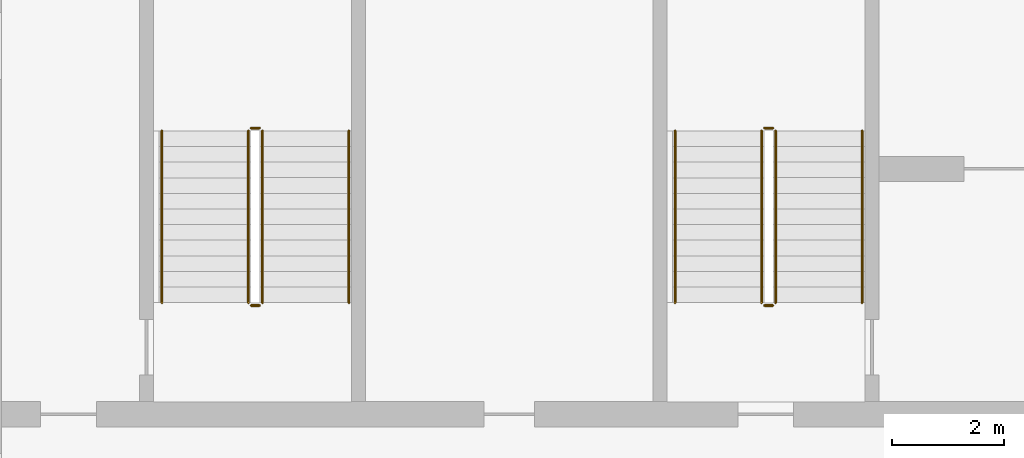
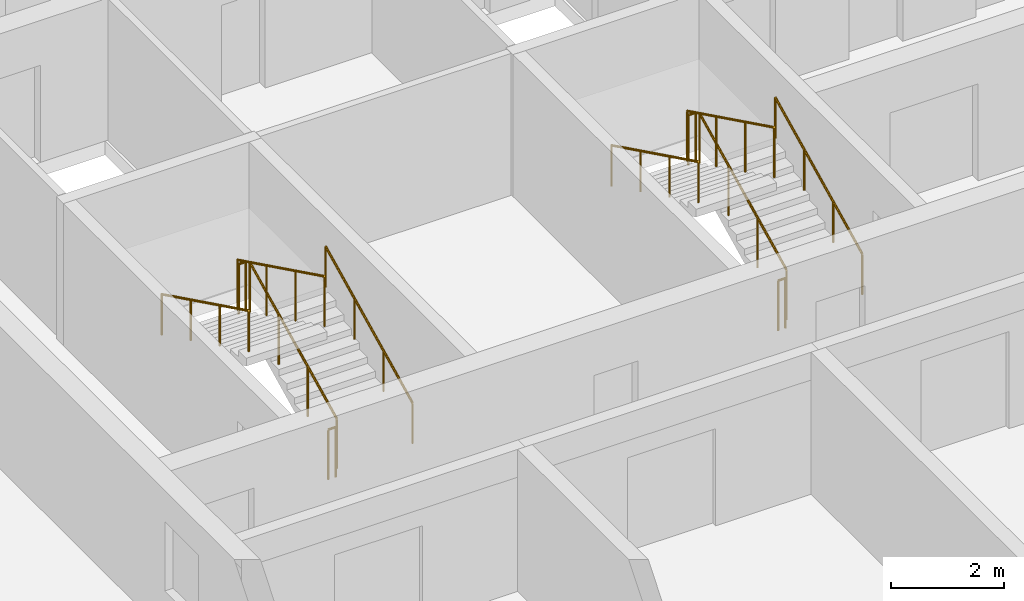
# One storey, part 12 of 14: 12 railings.
"""IFC4 building model written with IfcOpenShell, lengths in metres."""

import ifcopenshell
import ifcopenshell.guid

model = None  # the IFC model being written
_history = None  # IfcOwnerHistory: only IFC2X3 demands one
_inside = {}  # id of a spatial element -> (the spatial element, [elements in it])
_under = {}  # id of a project, library or spatial element -> (it, [spatial elements below it])
_declared = {}  # id of a project -> (the project, [libraries it declares])
_typed = {}  # id of a type object -> (the type object, [elements of that type])
_made_of = {}  # id of a material, layer set ... -> (it, [elements and type objects made of it])


def new_model(schema):
    """Start an empty IFC model of exactly this schema.

    Asked for "IFC4X3", IfcOpenShell would pick the latest addendum, in which some entities
    have other attributes; the version numbers below select the first issue.
    IFC2X3 requires an IfcOwnerHistory on every rooted entity: one is made here for all.
    """
    global model, _history
    if schema == "IFC4X3":
        model = ifcopenshell.file(schema_version=(4, 3, 0, 0))
    else:
        model = ifcopenshell.file(schema=schema)
    _inside.clear()
    _under.clear()
    _declared.clear()
    _typed.clear()
    _made_of.clear()
    _history = None
    if model.schema == "IFC2X3":
        org = make("IfcOrganization", Name="unknown")
        user = make(
            "IfcPersonAndOrganization",
            ThePerson=make("IfcPerson", FamilyName="unknown"),
            TheOrganization=org,
        )
        app = make(
            "IfcApplication",
            ApplicationDeveloper=org,
            Version="unknown",
            ApplicationFullName="unknown",
            ApplicationIdentifier="unknown",
        )
        _history = make(
            "IfcOwnerHistory",
            OwningUser=user,
            OwningApplication=app,
            ChangeAction="ADDED",
            CreationDate=0,
        )
    return model


def make(cls, **values):
    """One entity of the class cls with the attributes given. An attribute that is None is left unset."""
    return model.create_entity(
        cls, **{name: value for name, value in values.items() if value is not None}
    )


def rooted(cls, **values):
    """An entity with a GlobalId (a new one), such as an element, a storey or a relation."""
    return make(cls, GlobalId=ifcopenshell.guid.new(), OwnerHistory=_history, **values)


def si_unit(unit_type, name, prefix=None):
    """IfcSIUnit, for example si_unit("LENGTHUNIT", "METRE", prefix="MILLI")."""
    return make("IfcSIUnit", UnitType=unit_type, Prefix=prefix, Name=name)


def assignment(units):
    """IfcUnitAssignment: the units of a project."""
    return None if units is None else make("IfcUnitAssignment", Units=units)


def point(xyz):
    """IfcCartesianPoint."""
    return None if xyz is None else make("IfcCartesianPoint", Coordinates=xyz)


def direction(xyz):
    """IfcDirection."""
    return None if xyz is None else make("IfcDirection", DirectionRatios=xyz)


def frame(location, z_axis=None, x_axis=None):
    """IfcAxis2Placement3D, a coordinate frame: its origin and axes. An axis left out is left unset."""
    return make(
        "IfcAxis2Placement3D",
        Location=point(location),
        Axis=direction(z_axis),
        RefDirection=direction(x_axis),
    )


def frame_2d(location, x_axis=None):
    """IfcAxis2Placement2D, a coordinate frame in the plane: its origin and x axis."""
    return make(
        "IfcAxis2Placement2D", Location=point(location), RefDirection=direction(x_axis)
    )


def origin():
    """The frame at (0, 0, 0) with its axes left unset."""
    return frame((0.0, 0.0, 0.0))


def origin_2d():
    """The frame at (0, 0) in the plane with its x axis left unset."""
    return frame_2d((0.0, 0.0))


def place(relative_to, where):
    """IfcLocalPlacement: puts the frame where relative to a parent placement (None: the world)."""
    return make(
        "IfcLocalPlacement", PlacementRelTo=relative_to, RelativePlacement=where
    )


def context(
    kind, dimensions, precision=None, world=None, true_north=None, identifier=None
):
    """IfcGeometricRepresentationContext, for example the 3D "Model" context."""
    return make(
        "IfcGeometricRepresentationContext",
        ContextIdentifier=identifier,
        ContextType=kind,
        CoordinateSpaceDimension=dimensions,
        Precision=precision,
        WorldCoordinateSystem=world,
        TrueNorth=true_north,
    )


def subcontext(parent, identifier, kind, view, scale=None):
    """IfcGeometricRepresentationSubContext, for example "Body" below "Model"."""
    return make(
        "IfcGeometricRepresentationSubContext",
        ContextIdentifier=identifier,
        ContextType=kind,
        ParentContext=parent,
        TargetScale=scale,
        TargetView=view,
    )


def project(units=None, contexts=None):
    """IfcProject with its units and contexts."""
    return rooted(
        "IfcProject",
        Name="project",
        RepresentationContexts=contexts,
        UnitsInContext=assignment(units),
    )


def spatial(cls, under=None, at=None, **own):
    """A site, building, storey or space (cls), placed at a placement, below another one or the project."""
    s = rooted(cls, ObjectPlacement=at, **own)
    if under is not None:
        _under.setdefault(under.id(), (under, []))[1].append(s)
    return s


def profile(cls, at=None, kind="AREA", **sizes):
    """A parametric profile (cls). Its sizes go by their IFC names, for example OverallWidth=200.0."""
    return make(cls, ProfileType=kind, Position=at, **sizes)


def circle(**sizes):
    """IfcCircleProfileDef."""
    return profile("IfcCircleProfileDef", **sizes)


def extrude(swept, where, along, depth):
    """IfcExtrudedAreaSolid: the profile swept, set in the frame where, extruded along a direction by depth."""
    return make(
        "IfcExtrudedAreaSolid",
        SweptArea=swept,
        Position=where,
        ExtrudedDirection=direction(along),
        Depth=depth,
    )


def shape(context_of_items, identifier, shape_type, items):
    """IfcShapeRepresentation: the items that make up one representation, for example the "Body"."""
    return make(
        "IfcShapeRepresentation",
        ContextOfItems=context_of_items,
        RepresentationIdentifier=identifier,
        RepresentationType=shape_type,
        Items=items,
    )


def material(Name=None, Category=None):
    """IfcMaterial."""
    return make("IfcMaterial", Name=Name, Category=Category)


def made_of(thing, what):
    """Note that an element or type object is made of a material, layer set ...; save() writes the relation."""
    if what is not None:
        _made_of.setdefault(what.id(), (what, []))[1].append(thing)
    return thing


def type_object(cls, material=None, **own):
    """A type object (cls), such as IfcWallType, which elements share."""
    return made_of(rooted(cls, **own), material)


def element(
    cls,
    number,
    at=None,
    inside=None,
    cuts=None,
    type_object=None,
    material=None,
    context=None,
    identifier="Body",
    shape_type=None,
    held_by="IfcProductDefinitionShape",
    body=None,
    shapes=None,
    **own,
):
    """One element of the class cls, such as IfcWall. Its Tag is "e" and its number.

    at: its placement. inside: the storey or other place that contains it. cuts: it is an
    opening in that element (IfcRelVoidsElement). A single representation is given by context,
    identifier, shape_type and body (its items); several are given by shapes. held_by: the class
    of the entity that holds the representations. save() writes the other relations.
    """
    e = rooted(cls, Tag="e%d" % number, ObjectPlacement=at, **own)
    if body is not None:
        shapes = [shape(context, identifier, shape_type, body)]
    if shapes is not None:
        e.Representation = make(held_by, Representations=shapes)
    if inside is not None:
        _inside.setdefault(inside.id(), (inside, []))[1].append(e)
    if cuts is not None:
        rooted(
            "IfcRelVoidsElement", RelatingBuildingElement=cuts, RelatedOpeningElement=e
        )
    if type_object is not None:
        _typed.setdefault(type_object.id(), (type_object, []))[1].append(e)
    return made_of(e, material)


def aggregate(whole, parts):
    """IfcRelAggregates: a whole, such as a stair, and the parts it consists of."""
    return rooted("IfcRelAggregates", RelatingObject=whole, RelatedObjects=parts)


def save(model, path):
    """Write the relations noted so far, then the file.

    IfcRelAggregates (storeys below a building ...), IfcRelContainedInSpatialStructure (elements
    in a storey), IfcRelDefinesByType, IfcRelAssociatesMaterial and IfcRelDeclares: one each for
    every whole, place, type object, material and project.
    """
    for whole, parts in _under.values():
        aggregate(whole, parts)
    for where, things in _inside.values():
        rooted(
            "IfcRelContainedInSpatialStructure",
            RelatedElements=things,
            RelatingStructure=where,
        )
    for kind, things in _typed.values():
        rooted("IfcRelDefinesByType", RelatedObjects=things, RelatingType=kind)
    for what, things in _made_of.values():
        rooted("IfcRelAssociatesMaterial", RelatedObjects=things, RelatingMaterial=what)
    for by, libraries in _declared.values():
        rooted("IfcRelDeclares", RelatingContext=by, RelatedDefinitions=libraries)
    model.write(path)


model = new_model("IFC4")

# Units and contexts
model_context = context("Model", 3, precision=1e-05, world=origin(), true_north=direction((0.0, 1.0)))
body_context = subcontext(model_context, "Body", "Model", "MODEL_VIEW")
ifc_project = project(units=[si_unit("LENGTHUNIT", "METRE"), si_unit("AREAUNIT", "SQUARE_METRE"), si_unit("VOLUMEUNIT", "CUBIC_METRE"), si_unit("PLANEANGLEUNIT", "RADIAN"), si_unit("MASSUNIT", "GRAM", prefix="KILO")], contexts=[model_context])

# Site, building, storey
site_placement = place(None, origin())
site = spatial("IfcSite", under=ifc_project, at=site_placement, CompositionType="ELEMENT")
building_placement = place(site_placement, origin())
building = spatial("IfcBuilding", under=site, at=building_placement, Name="Poui Terraces", CompositionType="ELEMENT")
storey_placement = place(building_placement, frame((0.0, 0.0, 158.699951171875)))
storey = spatial("IfcBuildingStorey", under=building, at=storey_placement, Name="L44", CompositionType="ELEMENT", Elevation=158.699951171875)

# Railings
ifc_material_1 = material(Name="Galvanised steel balustrade", Category="steel")
railing_type_1 = type_object("IfcRailingType", Name="STAIR GUARD 1100", PredefinedType="GUARDRAIL", material=ifc_material_1)
railing_1_placement = place(storey_placement, frame((32.074951171875, 16.60009765625, 0.137451171875)))
element("IfcRailing", 1, at=railing_1_placement, inside=storey, type_object=railing_type_1, Name="L44 ST-CW stair guard 1", PredefinedType="GUARDRAIL", context=body_context, shape_type="SweptSolid", body=[
    extrude(circle(Radius=0.02392578125, at=origin_2d()), frame((0.0, 0.0, 1.076171875), z_axis=(0.0, 0.897578036475, 0.440855609512), x_axis=(-1.0, 0.0, 0.0)), (0.0, 0.0, 1.0), 3.43115234375),
    extrude(circle(Radius=0.02099609375, at=origin_2d()), origin(), (0.0, 0.0, 1.0), 1.052001953125),
    extrude(circle(Radius=0.02099609375, at=origin_2d()), frame((0.0, 1.026611328125, 0.504150390625)), (0.0, 0.0, 1.0), 1.052001953125),
    extrude(circle(Radius=0.02099609375, at=origin_2d()), frame((0.0, 2.05322265625, 1.008544921875)), (0.0, 0.0, 1.0), 1.052001953125),
    extrude(circle(Radius=0.02099609375, at=origin_2d()), frame((0.0, 3.079833984375, 1.5126953125)), (0.0, 0.0, 1.0), 1.052001953125),
])
railing_2_placement = place(storey_placement, frame((32.02490234375, 19.72998046875, 1.650146484375)))
element("IfcRailing", 2, at=railing_2_placement, inside=storey, type_object=railing_type_1, Name="L44 ST-CW stair guard 2", PredefinedType="GUARDRAIL", context=body_context, shape_type="SweptSolid", body=[
    extrude(circle(Radius=0.02392578125, at=origin_2d()), frame((0.0, 0.0, 1.076171875), z_axis=(-1.0, 0.0, 0.0), x_axis=(0.0, -1.0, 0.0)), (0.0, 0.0, 1.0), 0.14990234375),
    extrude(circle(Radius=0.02099609375, at=origin_2d()), origin(), (0.0, 0.0, 1.0), 1.052001953125),
    extrude(circle(Radius=0.02099609375, at=origin_2d()), frame((-0.14990234375, 0.0, 0.0)), (0.0, 0.0, 1.0), 1.052001953125),
])
railing_3_placement = place(storey_placement, frame((31.824951171875, 19.679931640625, 1.78759765625)))
element("IfcRailing", 3, at=railing_3_placement, inside=storey, type_object=railing_type_1, Name="L44 ST-CW stair guard 3", PredefinedType="GUARDRAIL", context=body_context, shape_type="SweptSolid", body=[
    extrude(circle(Radius=0.02392578125, at=origin_2d()), frame((0.0, 0.0, 1.076171875), z_axis=(0.0, -0.897606190399, 0.440798283751), x_axis=(1.0, 0.0, 0.0)), (0.0, 0.0, 1.0), 3.43115234375),
    extrude(circle(Radius=0.02099609375, at=origin_2d()), origin(), (0.0, 0.0, 1.0), 1.052001953125),
    extrude(circle(Radius=0.02099609375, at=origin_2d()), frame((0.0, -1.026611328125, 0.504150390625)), (0.0, 0.0, 1.0), 1.052001953125),
    extrude(circle(Radius=0.02099609375, at=origin_2d()), frame((0.0, -2.05322265625, 1.00830078125)), (0.0, 0.0, 1.0), 1.052001953125),
    extrude(circle(Radius=0.02099609375, at=origin_2d()), frame((0.0, -3.079833984375, 1.512451171875)), (0.0, 0.0, 1.0), 1.052001953125),
])
railing_4_placement = place(storey_placement, frame((32.02490234375, 16.550048828125, 0.0)))
element("IfcRailing", 4, at=railing_4_placement, inside=storey, type_object=railing_type_1, Name="L44 ST-CW stair guard 4", PredefinedType="GUARDRAIL", context=body_context, shape_type="SweptSolid", body=[
    extrude(circle(Radius=0.02392578125, at=origin_2d()), frame((0.0, 0.0, 1.076171875), z_axis=(-1.0, 0.0, 0.0), x_axis=(0.0, -1.0, 0.0)), (0.0, 0.0, 1.0), 0.14990234375),
    extrude(circle(Radius=0.02099609375, at=origin_2d()), origin(), (0.0, 0.0, 1.0), 1.052001953125),
    extrude(circle(Radius=0.02099609375, at=origin_2d()), frame((-0.14990234375, 0.0, 0.0)), (0.0, 0.0, 1.0), 1.052001953125),
])
railing_5_placement = place(storey_placement, frame((22.875, 16.60009765625, 0.137451171875)))
element("IfcRailing", 5, at=railing_5_placement, inside=storey, type_object=railing_type_1, Name="L44 ST-W stair guard 1", PredefinedType="GUARDRAIL", context=body_context, shape_type="SweptSolid", body=[
    extrude(circle(Radius=0.02392578125, at=origin_2d()), frame((0.0, 0.0, 1.076171875), z_axis=(0.0, 0.897578036475, 0.440855609512), x_axis=(-1.0, 0.0, 0.0)), (0.0, 0.0, 1.0), 3.43115234375),
    extrude(circle(Radius=0.02099609375, at=origin_2d()), origin(), (0.0, 0.0, 1.0), 1.052001953125),
    extrude(circle(Radius=0.02099609375, at=origin_2d()), frame((0.0, 1.026611328125, 0.504150390625)), (0.0, 0.0, 1.0), 1.052001953125),
    extrude(circle(Radius=0.02099609375, at=origin_2d()), frame((0.0, 2.05322265625, 1.008544921875)), (0.0, 0.0, 1.0), 1.052001953125),
    extrude(circle(Radius=0.02099609375, at=origin_2d()), frame((0.0, 3.079833984375, 1.5126953125)), (0.0, 0.0, 1.0), 1.052001953125),
])
railing_6_placement = place(storey_placement, frame((22.824951171875, 19.72998046875, 1.650146484375)))
element("IfcRailing", 6, at=railing_6_placement, inside=storey, type_object=railing_type_1, Name="L44 ST-W stair guard 2", PredefinedType="GUARDRAIL", context=body_context, shape_type="SweptSolid", body=[
    extrude(circle(Radius=0.02392578125, at=origin_2d()), frame((0.0, 0.0, 1.076171875), z_axis=(-1.0, 0.0, 0.0), x_axis=(0.0, -1.0, 0.0)), (0.0, 0.0, 1.0), 0.14990234375),
    extrude(circle(Radius=0.02099609375, at=origin_2d()), origin(), (0.0, 0.0, 1.0), 1.052001953125),
    extrude(circle(Radius=0.02099609375, at=origin_2d()), frame((-0.14990234375, 0.0, 0.0)), (0.0, 0.0, 1.0), 1.052001953125),
])
railing_7_placement = place(storey_placement, frame((22.625, 19.679931640625, 1.78759765625)))
element("IfcRailing", 7, at=railing_7_placement, inside=storey, type_object=railing_type_1, Name="L44 ST-W stair guard 3", PredefinedType="GUARDRAIL", context=body_context, shape_type="SweptSolid", body=[
    extrude(circle(Radius=0.02392578125, at=origin_2d()), frame((0.0, 0.0, 1.076171875), z_axis=(0.0, -0.897606190399, 0.440798283751), x_axis=(1.0, 0.0, 0.0)), (0.0, 0.0, 1.0), 3.43115234375),
    extrude(circle(Radius=0.02099609375, at=origin_2d()), origin(), (0.0, 0.0, 1.0), 1.052001953125),
    extrude(circle(Radius=0.02099609375, at=origin_2d()), frame((0.0, -1.026611328125, 0.504150390625)), (0.0, 0.0, 1.0), 1.052001953125),
    extrude(circle(Radius=0.02099609375, at=origin_2d()), frame((0.0, -2.05322265625, 1.00830078125)), (0.0, 0.0, 1.0), 1.052001953125),
    extrude(circle(Radius=0.02099609375, at=origin_2d()), frame((0.0, -3.079833984375, 1.512451171875)), (0.0, 0.0, 1.0), 1.052001953125),
])
railing_8_placement = place(storey_placement, frame((22.824951171875, 16.550048828125, 0.0)))
element("IfcRailing", 8, at=railing_8_placement, inside=storey, type_object=railing_type_1, Name="L44 ST-W stair guard 4", PredefinedType="GUARDRAIL", context=body_context, shape_type="SweptSolid", body=[
    extrude(circle(Radius=0.02392578125, at=origin_2d()), frame((0.0, 0.0, 1.076171875), z_axis=(-1.0, 0.0, 0.0), x_axis=(0.0, -1.0, 0.0)), (0.0, 0.0, 1.0), 0.14990234375),
    extrude(circle(Radius=0.02099609375, at=origin_2d()), origin(), (0.0, 0.0, 1.0), 1.052001953125),
    extrude(circle(Radius=0.02099609375, at=origin_2d()), frame((-0.14990234375, 0.0, 0.0)), (0.0, 0.0, 1.0), 1.052001953125),
])
ifc_material_2 = material(Name="Stainless steel handrail", Category="steel")
railing_type_2 = type_object("IfcRailingType", Name="STAIR HANDRAIL 900", PredefinedType="HANDRAIL", material=ifc_material_2)
railing_9_placement = place(storey_placement, frame((33.625, 16.60009765625, 0.137451171875)))
element("IfcRailing", 9, at=railing_9_placement, inside=storey, type_object=railing_type_2, Name="L44 ST-CW stair handrail 1", PredefinedType="HANDRAIL", context=body_context, shape_type="SweptSolid", body=[
    extrude(circle(Radius=0.02392578125, at=origin_2d()), frame((0.0, 0.0, 0.8759765625), z_axis=(0.0, 0.897578036475, 0.440855609512), x_axis=(-1.0, 0.0, 0.0)), (0.0, 0.0, 1.0), 3.43115234375),
    extrude(circle(Radius=0.02099609375, at=origin_2d()), origin(), (0.0, 0.0, 1.0), 0.851806640625),
    extrude(circle(Radius=0.02099609375, at=origin_2d()), frame((0.0, 1.026611328125, 0.504150390625)), (0.0, 0.0, 1.0), 0.851806640625),
    extrude(circle(Radius=0.02099609375, at=origin_2d()), frame((0.0, 2.05322265625, 1.008544921875)), (0.0, 0.0, 1.0), 0.851806640625),
    extrude(circle(Radius=0.02099609375, at=origin_2d()), frame((0.0, 3.079833984375, 1.5126953125)), (0.0, 0.0, 1.0), 0.851806640625),
])
railing_10_placement = place(storey_placement, frame((30.27490234375, 19.679931640625, 1.78759765625)))
element("IfcRailing", 10, at=railing_10_placement, inside=storey, type_object=railing_type_2, Name="L44 ST-CW stair handrail 2", PredefinedType="HANDRAIL", context=body_context, shape_type="SweptSolid", body=[
    extrude(circle(Radius=0.02392578125, at=origin_2d()), frame((0.0, 0.0, 0.8759765625), z_axis=(0.0, -0.897606190399, 0.440798283751), x_axis=(1.0, 0.0, 0.0)), (0.0, 0.0, 1.0), 3.43115234375),
    extrude(circle(Radius=0.02099609375, at=origin_2d()), origin(), (0.0, 0.0, 1.0), 0.851806640625),
    extrude(circle(Radius=0.02099609375, at=origin_2d()), frame((0.0, -1.026611328125, 0.504150390625)), (0.0, 0.0, 1.0), 0.851806640625),
    extrude(circle(Radius=0.02099609375, at=origin_2d()), frame((0.0, -2.05322265625, 1.00830078125)), (0.0, 0.0, 1.0), 0.851806640625),
    extrude(circle(Radius=0.02099609375, at=origin_2d()), frame((0.0, -3.079833984375, 1.512451171875)), (0.0, 0.0, 1.0), 0.851806640625),
])
railing_11_placement = place(storey_placement, frame((24.425048828125, 16.60009765625, 0.137451171875)))
element("IfcRailing", 11, at=railing_11_placement, inside=storey, type_object=railing_type_2, Name="L44 ST-W stair handrail 1", PredefinedType="HANDRAIL", context=body_context, shape_type="SweptSolid", body=[
    extrude(circle(Radius=0.02392578125, at=origin_2d()), frame((0.0, 0.0, 0.8759765625), z_axis=(0.0, 0.897578036475, 0.440855609512), x_axis=(-1.0, 0.0, 0.0)), (0.0, 0.0, 1.0), 3.43115234375),
    extrude(circle(Radius=0.02099609375, at=origin_2d()), origin(), (0.0, 0.0, 1.0), 0.851806640625),
    extrude(circle(Radius=0.02099609375, at=origin_2d()), frame((0.0, 1.026611328125, 0.504150390625)), (0.0, 0.0, 1.0), 0.851806640625),
    extrude(circle(Radius=0.02099609375, at=origin_2d()), frame((0.0, 2.05322265625, 1.008544921875)), (0.0, 0.0, 1.0), 0.851806640625),
    extrude(circle(Radius=0.02099609375, at=origin_2d()), frame((0.0, 3.079833984375, 1.5126953125)), (0.0, 0.0, 1.0), 0.851806640625),
])
railing_12_placement = place(storey_placement, frame((21.074951171875, 19.679931640625, 1.78759765625)))
element("IfcRailing", 12, at=railing_12_placement, inside=storey, type_object=railing_type_2, Name="L44 ST-W stair handrail 2", PredefinedType="HANDRAIL", context=body_context, shape_type="SweptSolid", body=[
    extrude(circle(Radius=0.02392578125, at=origin_2d()), frame((0.0, 0.0, 0.8759765625), z_axis=(0.0, -0.897606190399, 0.440798283751), x_axis=(1.0, 0.0, 0.0)), (0.0, 0.0, 1.0), 3.43115234375),
    extrude(circle(Radius=0.02099609375, at=origin_2d()), origin(), (0.0, 0.0, 1.0), 0.851806640625),
    extrude(circle(Radius=0.02099609375, at=origin_2d()), frame((0.0, -1.026611328125, 0.504150390625)), (0.0, 0.0, 1.0), 0.851806640625),
    extrude(circle(Radius=0.02099609375, at=origin_2d()), frame((0.0, -2.05322265625, 1.00830078125)), (0.0, 0.0, 1.0), 0.851806640625),
    extrude(circle(Radius=0.02099609375, at=origin_2d()), frame((0.0, -3.079833984375, 1.512451171875)), (0.0, 0.0, 1.0), 0.851806640625),
])

save(model, "model.ifc")
